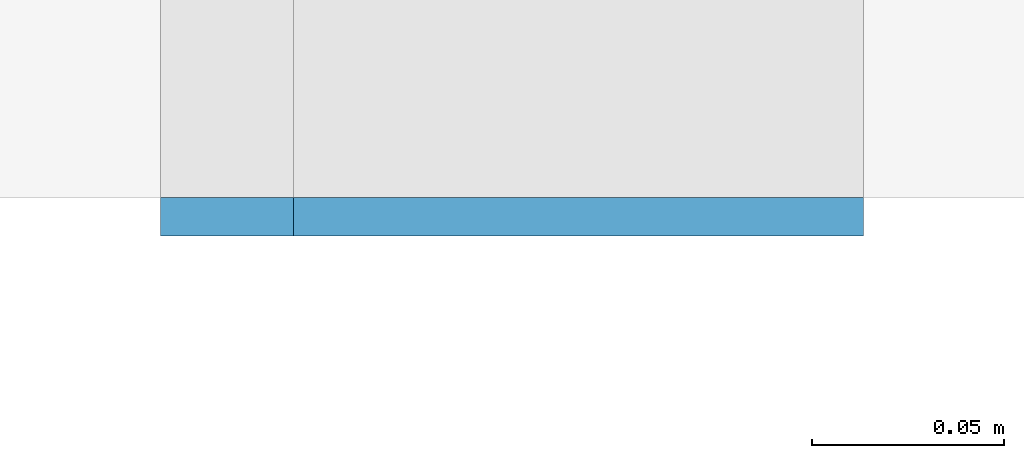
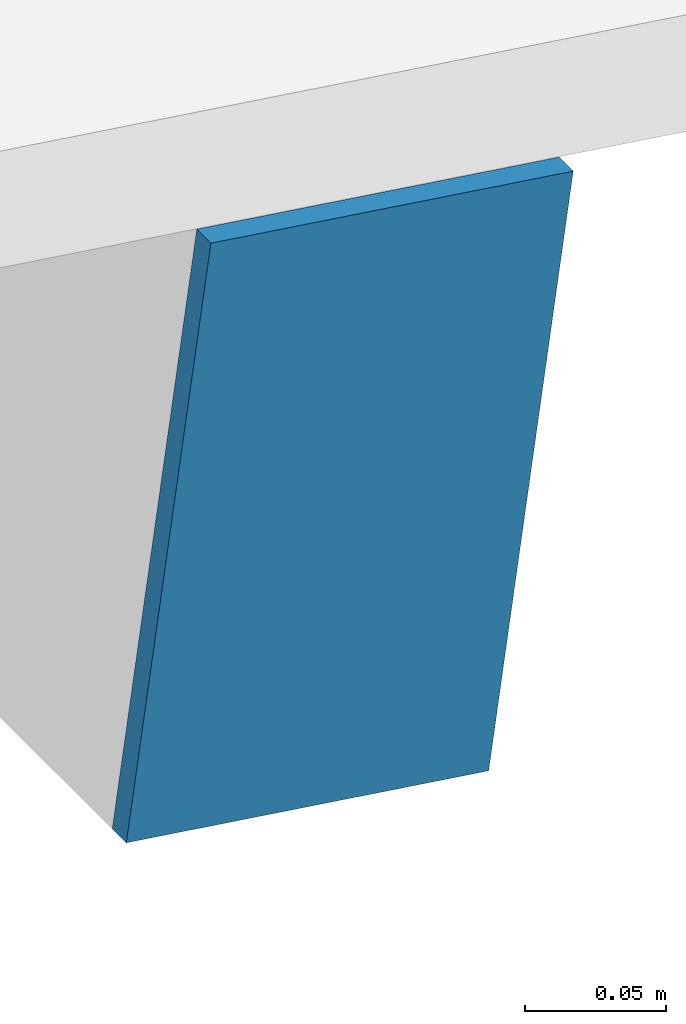
# One storey, part 35 of 52: 1 discrete accessory.
"""IFC4 building model written with IfcOpenShell, lengths in metres."""

from ifc_helpers import new_model, si_unit, direction, frame, origin, origin_2d, place, context, subcontext, project, spatial, rectangle, extrude, material, material_profile, profile_set, type_object, element, save


model = new_model("IFC4")

# Units and contexts
model_context = context("Model", 3, precision=1e-05, world=origin(), true_north=direction((0.0, 1.0)))
body_context = subcontext(model_context, "Body", "Model", "MODEL_VIEW")
ifc_project = project(units=[si_unit("LENGTHUNIT", "METRE"), si_unit("AREAUNIT", "SQUARE_METRE"), si_unit("VOLUMEUNIT", "CUBIC_METRE"), si_unit("PLANEANGLEUNIT", "RADIAN"), si_unit("MASSUNIT", "GRAM", prefix="KILO")], contexts=[model_context])

# Site, building, storey
site_placement = place(None, origin())
site = spatial("IfcSite", under=ifc_project, at=site_placement, CompositionType="ELEMENT")
building_placement = place(site_placement, origin())
building = spatial("IfcBuilding", under=site, at=building_placement, Name="Cour d'Honneur Mobility Palace", CompositionType="ELEMENT")
storey_placement = place(building_placement, frame((0.0, 0.0, 23.0)))
storey = spatial("IfcBuildingStorey", under=building, at=storey_placement, Name="L06", CompositionType="ELEMENT", Elevation=23.0)

# Discrete accessory
ifc_material = material(Name="Steel S355", Category="steel")
ifc_material_profile = material_profile(ifc_material, rectangle(XDim=0.14990234375, YDim=0.25, at=origin_2d()), Name="PL 250x150x10")
ifc_profile_set = profile_set([ifc_material_profile], Name="Steel S355")
discrete_accessory_type = type_object("IfcDiscreteAccessoryType", Name="End cap plate RHS 250x150x10", PredefinedType="USERDEFINED", material=ifc_profile_set)
discrete_accessory_placement = place(storey_placement, frame((158.02490234375, 66.139892578125, 1.309814453125), z_axis=(0.0, 1.0, 0.0), x_axis=(-0.990349673475, 0.0, 0.138591212736)))
element("IfcDiscreteAccessory", 1, at=discrete_accessory_placement, inside=storey, type_object=discrete_accessory_type, Name="End cap plate EC-TU-S10.1-1", ObjectType="END CAP PLATE", PredefinedType="USERDEFINED", context=body_context, shape_type="SweptSolid", body=[
    extrude(rectangle(XDim=0.14990234375, YDim=0.25, at=origin_2d()), origin(), (0.0, 0.0, 1.0), 0.010009765625),
])

save(model, "model.ifc")
